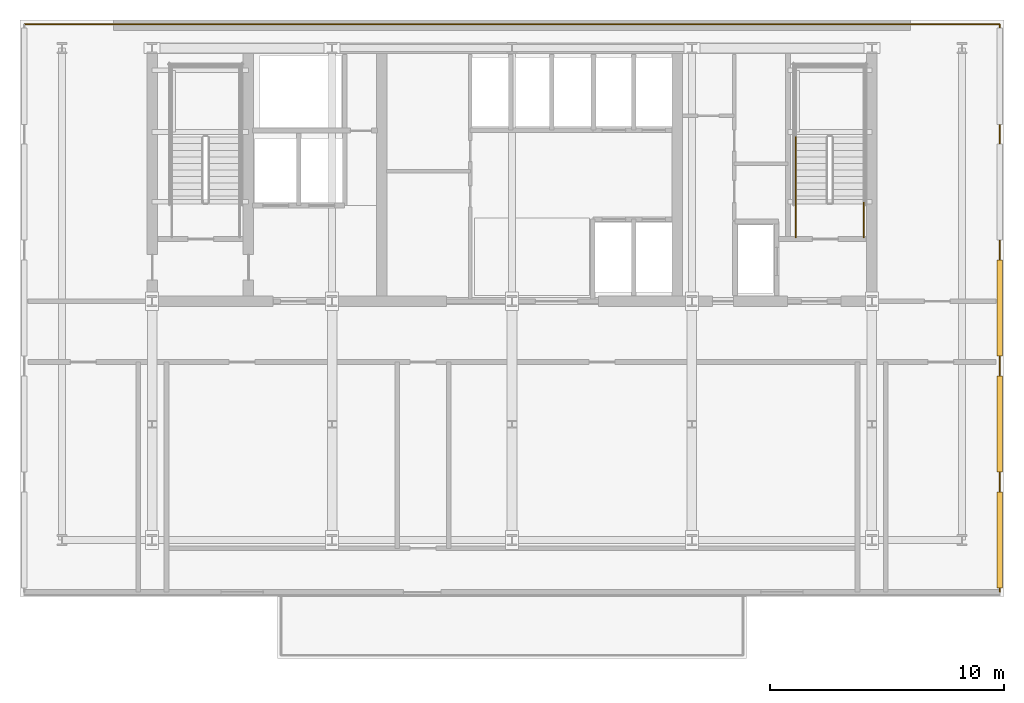
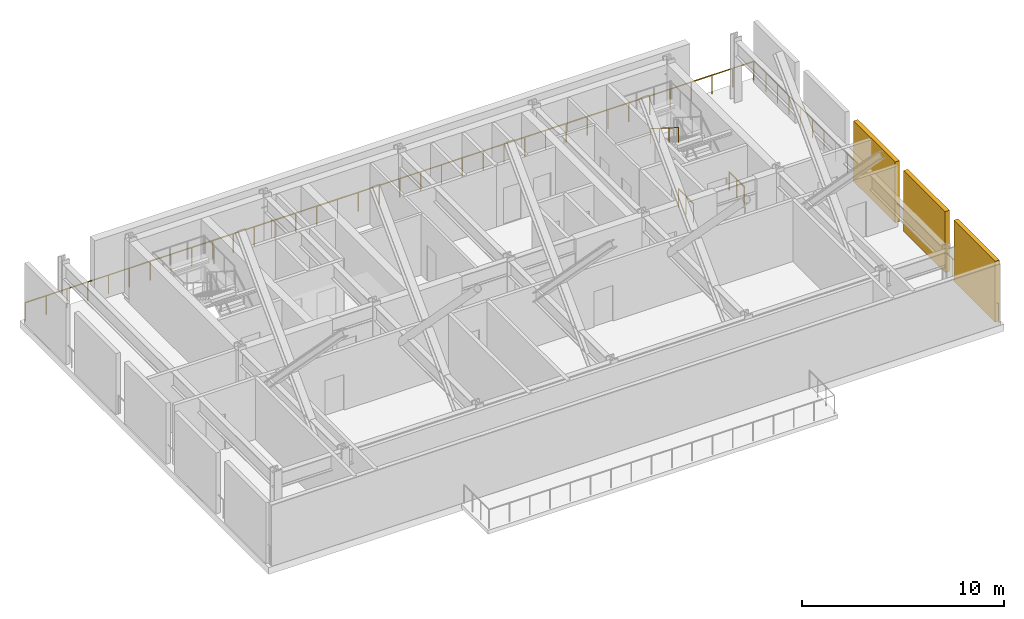
# One storey, part 7 of 8: 5 railings, 3 shading devices.
"""IFC4 building model written with IfcOpenShell, lengths in metres."""

from ifc_helpers import new_model, si_unit, direction, frame, origin, origin_2d, place, context, subcontext, project, spatial, rectangle, circle, extrude, material, layer, layer_set, type_object, element, save


model = new_model("IFC4")

# Units and contexts
model_context = context("Model", 3, precision=1e-05, world=origin(), true_north=direction((0.0, 1.0)))
body_context = subcontext(model_context, "Body", "Model", "MODEL_VIEW")
ifc_project = project(units=[si_unit("LENGTHUNIT", "METRE"), si_unit("AREAUNIT", "SQUARE_METRE"), si_unit("VOLUMEUNIT", "CUBIC_METRE"), si_unit("PLANEANGLEUNIT", "RADIAN"), si_unit("MASSUNIT", "GRAM", prefix="KILO")], contexts=[model_context])

# Site, building, storey
site_placement = place(None, origin())
site = spatial("IfcSite", under=ifc_project, at=site_placement, CompositionType="ELEMENT")
building_placement = place(site_placement, origin())
building = spatial("IfcBuilding", under=site, at=building_placement, Name="Yelkora Congress Tower", CompositionType="ELEMENT")
storey_placement = place(building_placement, frame((0.0, 0.0, 137.300048828125)))
storey = spatial("IfcBuildingStorey", under=building, at=storey_placement, Name="L37", CompositionType="ELEMENT", Elevation=137.300048828125)

# Railings
ifc_material_1 = material(Name="Stainless steel 316L and laminated glass infill", Category="steel")
ifc_layer_1 = layer(ifc_material_1, 0.080078125)
ifc_layer_set_1 = layer_set([ifc_layer_1], Name="Stainless steel 316L and laminated glass infill")
railing_type_1 = type_object("IfcRailingType", Name="RAIL-EXT-GUARD-1150", PredefinedType="GUARDRAIL", material=ifc_layer_set_1)
railing_1_placement = place(storey_placement, frame((59.219970703125, 23.0, 0.0)))
element("IfcRailing", 1, at=railing_1_placement, inside=storey, type_object=railing_type_1, Name="L37 Wind-Floor Perimeter Guardrail E", PredefinedType="GUARDRAIL", context=body_context, shape_type="SweptSolid", body=[
    extrude(circle(Radius=0.02392578125, at=origin_2d()), frame((0.0, 0.0, 1.1259765625), z_axis=(0.0, 1.0, 0.0), x_axis=(-1.0, 0.0, 0.0)), (0.0, 0.0, 1.0), 24.199951171875),
    extrude(circle(Radius=0.02099609375, at=origin_2d()), origin(), (0.0, 0.0, 1.0), 1.101806640625),
    extrude(circle(Radius=0.02099609375, at=origin_2d()), frame((0.0, 1.15234375, 0.0)), (0.0, 0.0, 1.0), 1.101806640625),
    extrude(circle(Radius=0.02099609375, at=origin_2d()), frame((0.0, 2.3046875, 0.0)), (0.0, 0.0, 1.0), 1.101806640625),
    extrude(circle(Radius=0.02099609375, at=origin_2d()), frame((0.0, 3.45703125, 0.0)), (0.0, 0.0, 1.0), 1.101806640625),
    extrude(circle(Radius=0.02099609375, at=origin_2d()), frame((0.0, 4.609619140625, 0.0)), (0.0, 0.0, 1.0), 1.101806640625),
    extrude(circle(Radius=0.02099609375, at=origin_2d()), frame((0.0, 5.761962890625, 0.0)), (0.0, 0.0, 1.0), 1.101806640625),
    extrude(circle(Radius=0.02099609375, at=origin_2d()), frame((0.0, 6.914306640625, 0.0)), (0.0, 0.0, 1.0), 1.101806640625),
    extrude(circle(Radius=0.02099609375, at=origin_2d()), frame((0.0, 8.066650390625, 0.0)), (0.0, 0.0, 1.0), 1.101806640625),
    extrude(circle(Radius=0.02099609375, at=origin_2d()), frame((0.0, 9.218994140625, 0.0)), (0.0, 0.0, 1.0), 1.101806640625),
    extrude(circle(Radius=0.02099609375, at=origin_2d()), frame((0.0, 10.371337890625, 0.0)), (0.0, 0.0, 1.0), 1.101806640625),
    extrude(circle(Radius=0.02099609375, at=origin_2d()), frame((0.0, 11.523681640625, 0.0)), (0.0, 0.0, 1.0), 1.101806640625),
    extrude(circle(Radius=0.02099609375, at=origin_2d()), frame((0.0, 12.67626953125, 0.0)), (0.0, 0.0, 1.0), 1.101806640625),
    extrude(circle(Radius=0.02099609375, at=origin_2d()), frame((0.0, 13.82861328125, 0.0)), (0.0, 0.0, 1.0), 1.101806640625),
    extrude(circle(Radius=0.02099609375, at=origin_2d()), frame((0.0, 14.98095703125, 0.0)), (0.0, 0.0, 1.0), 1.101806640625),
    extrude(circle(Radius=0.02099609375, at=origin_2d()), frame((0.0, 16.13330078125, 0.0)), (0.0, 0.0, 1.0), 1.101806640625),
    extrude(circle(Radius=0.02099609375, at=origin_2d()), frame((0.0, 17.28564453125, 0.0)), (0.0, 0.0, 1.0), 1.101806640625),
    extrude(circle(Radius=0.02099609375, at=origin_2d()), frame((0.0, 18.43798828125, 0.0)), (0.0, 0.0, 1.0), 1.101806640625),
    extrude(circle(Radius=0.02099609375, at=origin_2d()), frame((0.0, 19.59033203125, 0.0)), (0.0, 0.0, 1.0), 1.101806640625),
    extrude(circle(Radius=0.02099609375, at=origin_2d()), frame((0.0, 20.742919921875, 0.0)), (0.0, 0.0, 1.0), 1.101806640625),
    extrude(circle(Radius=0.02099609375, at=origin_2d()), frame((0.0, 21.895263671875, 0.0)), (0.0, 0.0, 1.0), 1.101806640625),
    extrude(circle(Radius=0.02099609375, at=origin_2d()), frame((0.0, 23.047607421875, 0.0)), (0.0, 0.0, 1.0), 1.101806640625),
    extrude(circle(Radius=0.02099609375, at=origin_2d()), frame((0.0, 24.199951171875, 0.0)), (0.0, 0.0, 1.0), 1.101806640625),
])
railing_2_placement = place(storey_placement, frame((17.60009765625, 47.219970703125, 0.0)))
element("IfcRailing", 2, at=railing_2_placement, inside=storey, type_object=railing_type_1, Name="L37 North Perimeter Guardrail", PredefinedType="GUARDRAIL", context=body_context, shape_type="SweptSolid", body=[
    extrude(circle(Radius=0.02392578125, at=origin_2d()), frame((0.0, 0.0, 1.1259765625), z_axis=(1.0, 0.0, 0.0), x_axis=(0.0, 1.0, 0.0)), (0.0, 0.0, 1.0), 41.599853515625),
    extrude(circle(Radius=0.02099609375, at=origin_2d()), origin(), (0.0, 0.0, 1.0), 1.101806640625),
    extrude(circle(Radius=0.02099609375, at=origin_2d()), frame((1.1884765625, 0.0, 0.0)), (0.0, 0.0, 1.0), 1.101806640625),
    extrude(circle(Radius=0.02099609375, at=origin_2d()), frame((2.377197265625, 0.0, 0.0)), (0.0, 0.0, 1.0), 1.101806640625),
    extrude(circle(Radius=0.02099609375, at=origin_2d()), frame((3.565673828125, 0.0, 0.0)), (0.0, 0.0, 1.0), 1.101806640625),
    extrude(circle(Radius=0.02099609375, at=origin_2d()), frame((4.754150390625, 0.0, 0.0)), (0.0, 0.0, 1.0), 1.101806640625),
    extrude(circle(Radius=0.02099609375, at=origin_2d()), frame((5.94287109375, 0.0, 0.0)), (0.0, 0.0, 1.0), 1.101806640625),
    extrude(circle(Radius=0.02099609375, at=origin_2d()), frame((7.13134765625, 0.0, 0.0)), (0.0, 0.0, 1.0), 1.101806640625),
    extrude(circle(Radius=0.02099609375, at=origin_2d()), frame((8.320068359375, 0.0, 0.0)), (0.0, 0.0, 1.0), 1.101806640625),
    extrude(circle(Radius=0.02099609375, at=origin_2d()), frame((9.508544921875, 0.0, 0.0)), (0.0, 0.0, 1.0), 1.101806640625),
    extrude(circle(Radius=0.02099609375, at=origin_2d()), frame((10.697021484375, 0.0, 0.0)), (0.0, 0.0, 1.0), 1.101806640625),
    extrude(circle(Radius=0.02099609375, at=origin_2d()), frame((11.8857421875, 0.0, 0.0)), (0.0, 0.0, 1.0), 1.101806640625),
    extrude(circle(Radius=0.02099609375, at=origin_2d()), frame((13.07421875, 0.0, 0.0)), (0.0, 0.0, 1.0), 1.101806640625),
    extrude(circle(Radius=0.02099609375, at=origin_2d()), frame((14.2626953125, 0.0, 0.0)), (0.0, 0.0, 1.0), 1.101806640625),
    extrude(circle(Radius=0.02099609375, at=origin_2d()), frame((15.451416015625, 0.0, 0.0)), (0.0, 0.0, 1.0), 1.101806640625),
    extrude(circle(Radius=0.02099609375, at=origin_2d()), frame((16.639892578125, 0.0, 0.0)), (0.0, 0.0, 1.0), 1.101806640625),
    extrude(circle(Radius=0.02099609375, at=origin_2d()), frame((17.82861328125, 0.0, 0.0)), (0.0, 0.0, 1.0), 1.101806640625),
    extrude(circle(Radius=0.02099609375, at=origin_2d()), frame((19.01708984375, 0.0, 0.0)), (0.0, 0.0, 1.0), 1.101806640625),
    extrude(circle(Radius=0.02099609375, at=origin_2d()), frame((20.20556640625, 0.0, 0.0)), (0.0, 0.0, 1.0), 1.101806640625),
    extrude(circle(Radius=0.02099609375, at=origin_2d()), frame((21.394287109375, 0.0, 0.0)), (0.0, 0.0, 1.0), 1.101806640625),
    extrude(circle(Radius=0.02099609375, at=origin_2d()), frame((22.582763671875, 0.0, 0.0)), (0.0, 0.0, 1.0), 1.101806640625),
    extrude(circle(Radius=0.02099609375, at=origin_2d()), frame((23.771240234375, 0.0, 0.0)), (0.0, 0.0, 1.0), 1.101806640625),
    extrude(circle(Radius=0.02099609375, at=origin_2d()), frame((24.9599609375, 0.0, 0.0)), (0.0, 0.0, 1.0), 1.101806640625),
    extrude(circle(Radius=0.02099609375, at=origin_2d()), frame((26.1484375, 0.0, 0.0)), (0.0, 0.0, 1.0), 1.101806640625),
    extrude(circle(Radius=0.02099609375, at=origin_2d()), frame((27.337158203125, 0.0, 0.0)), (0.0, 0.0, 1.0), 1.101806640625),
    extrude(circle(Radius=0.02099609375, at=origin_2d()), frame((28.525634765625, 0.0, 0.0)), (0.0, 0.0, 1.0), 1.101806640625),
    extrude(circle(Radius=0.02099609375, at=origin_2d()), frame((29.714111328125, 0.0, 0.0)), (0.0, 0.0, 1.0), 1.101806640625),
    extrude(circle(Radius=0.02099609375, at=origin_2d()), frame((30.90283203125, 0.0, 0.0)), (0.0, 0.0, 1.0), 1.101806640625),
    extrude(circle(Radius=0.02099609375, at=origin_2d()), frame((32.09130859375, 0.0, 0.0)), (0.0, 0.0, 1.0), 1.101806640625),
    extrude(circle(Radius=0.02099609375, at=origin_2d()), frame((33.27978515625, 0.0, 0.0)), (0.0, 0.0, 1.0), 1.101806640625),
    extrude(circle(Radius=0.02099609375, at=origin_2d()), frame((34.468505859375, 0.0, 0.0)), (0.0, 0.0, 1.0), 1.101806640625),
    extrude(circle(Radius=0.02099609375, at=origin_2d()), frame((35.656982421875, 0.0, 0.0)), (0.0, 0.0, 1.0), 1.101806640625),
    extrude(circle(Radius=0.02099609375, at=origin_2d()), frame((36.845703125, 0.0, 0.0)), (0.0, 0.0, 1.0), 1.101806640625),
    extrude(circle(Radius=0.02099609375, at=origin_2d()), frame((38.0341796875, 0.0, 0.0)), (0.0, 0.0, 1.0), 1.101806640625),
    extrude(circle(Radius=0.02099609375, at=origin_2d()), frame((39.22265625, 0.0, 0.0)), (0.0, 0.0, 1.0), 1.101806640625),
    extrude(circle(Radius=0.02099609375, at=origin_2d()), frame((40.411376953125, 0.0, 0.0)), (0.0, 0.0, 1.0), 1.101806640625),
    extrude(circle(Radius=0.02099609375, at=origin_2d()), frame((41.599853515625, 0.0, 0.0)), (0.0, 0.0, 1.0), 1.101806640625),
])
ifc_material_2 = material(Name="Painted galvanised steel stair well guard with vertical infill", Category="steel")
ifc_layer_2 = layer(ifc_material_2, 0.06005859375)
ifc_layer_set_2 = layer_set([ifc_layer_2], Name="Painted galvanised steel stair well guard with vertical infill")
railing_type_2 = type_object("IfcRailingType", Name="RAIL-STAIR-GUARD-1120", PredefinedType="GUARDRAIL", material=ifc_layer_set_2)
for number, where, name in (
    (3, (53.409912109375, 38.1201171875, 0.0), "ST-02 L37 Stair Well Guardrail 8"),
    (4, (50.510009765625, 38.1201171875, 0.0), "ST-02 L37 Stair Well Guardrail 9"),
):
    element("IfcRailing", number, at=place(storey_placement, frame(where)), inside=storey, type_object=railing_type_2, Name=name, PredefinedType="GUARDRAIL", context=body_context, shape_type="SweptSolid", body=[
        extrude(circle(Radius=0.02392578125, at=origin_2d()), frame((0.0, 0.0, 1.09619140625), z_axis=(0.0, 1.0, 0.0), x_axis=(-1.0, 0.0, 0.0)), (0.0, 0.0, 1.0), 1.47998046875),
        extrude(circle(Radius=0.02099609375, at=origin_2d()), origin(), (0.0, 0.0, 1.0), 1.072021484375),
        extrude(circle(Radius=0.02099609375, at=origin_2d()), frame((0.0, 0.739990234375, 0.0)), (0.0, 0.0, 1.0), 1.072021484375),
        extrude(circle(Radius=0.02099609375, at=origin_2d()), frame((0.0, 1.47998046875, 0.0)), (0.0, 0.0, 1.0), 1.072021484375),
    ])
ifc_material_3 = material(Name="Brushed stainless steel tubular handrail", Category="steel")
ifc_layer_3 = layer(ifc_material_3, 0.050048828125)
ifc_layer_set_3 = layer_set([ifc_layer_3], Name="Brushed stainless steel tubular handrail")
railing_type_3 = type_object("IfcRailingType", Name="RAIL-STAIR-HAND-920", PredefinedType="HANDRAIL", material=ifc_layer_set_3)
railing_3_placement = place(storey_placement, frame((50.510009765625, 42.39990234375, 2.127197265625)))
element("IfcRailing", 5, at=railing_3_placement, inside=storey, type_object=railing_type_3, Name="ST-02 L37 Pitch Handrail 2", PredefinedType="HANDRAIL", context=body_context, shape_type="SweptSolid", body=[
    extrude(circle(Radius=0.02392578125, at=origin_2d()), frame((0.0, 0.0, 0.89599609375), z_axis=(0.0, -0.844887892834, 0.53494340686), x_axis=(1.0, 0.0, 0.0)), (0.0, 0.0, 1.0), 3.313720703125),
    extrude(circle(Radius=0.02099609375, at=origin_2d()), origin(), (0.0, 0.0, 1.0), 0.871826171875),
    extrude(circle(Radius=0.02099609375, at=origin_2d()), frame((0.0, -0.933349609375, 0.5908203125)), (0.0, 0.0, 1.0), 0.871826171875),
    extrude(circle(Radius=0.02099609375, at=origin_2d()), frame((0.0, -1.866455078125, 1.181884765625)), (0.0, 0.0, 1.0), 0.871826171875),
    extrude(circle(Radius=0.02099609375, at=origin_2d()), frame((0.0, -2.7998046875, 1.772705078125)), (0.0, 0.0, 1.0), 0.871826171875),
])

# Shading devices
ifc_material_4 = material(Name="Perforated anodised aluminium louvre", Category="aluminium")
ifc_layer_4 = layer(ifc_material_4, 3.39990234375)
ifc_layer_set_4 = layer_set([ifc_layer_4], Name="Perforated anodised aluminium louvre")
shading_device_type = type_object("IfcShadingDeviceType", Name="SHD-LOUVRE-WIND", PredefinedType="JALOUSIE", material=ifc_layer_set_4)
for number, where, z_axis, x_axis, name in (
    (6, (59.219970703125, 25.199951171875, 0.0), (0.0, 0.0, 1.0), (1.0, 0.0, 0.0), "L37 Acoustic Wind-Floor Louvre Screen E1"),
    (7, (59.219970703125, 30.14990234375, 0.0), (0.0, 0.0, 1.0), (1.0, 0.0, 0.0), "L37 Acoustic Wind-Floor Louvre Screen E2"),
    (8, (59.219970703125, 35.10009765625, 0.0), (0.0, 0.0, 1.0), (1.0, 0.0, 0.0), "L37 Acoustic Wind-Floor Louvre Screen E3"),
):
    element("IfcShadingDevice", number, at=place(storey_placement, frame(where, z_axis=z_axis, x_axis=x_axis)), inside=storey, type_object=shading_device_type, Name=name, PredefinedType="JALOUSIE", context=body_context, shape_type="SweptSolid", body=[
        extrude(rectangle(XDim=0.239990234375, YDim=4.10009765625, at=origin_2d()), origin(), (0.0, 0.0, 1.0), 3.679931640625),
    ])

save(model, "model.ifc")
